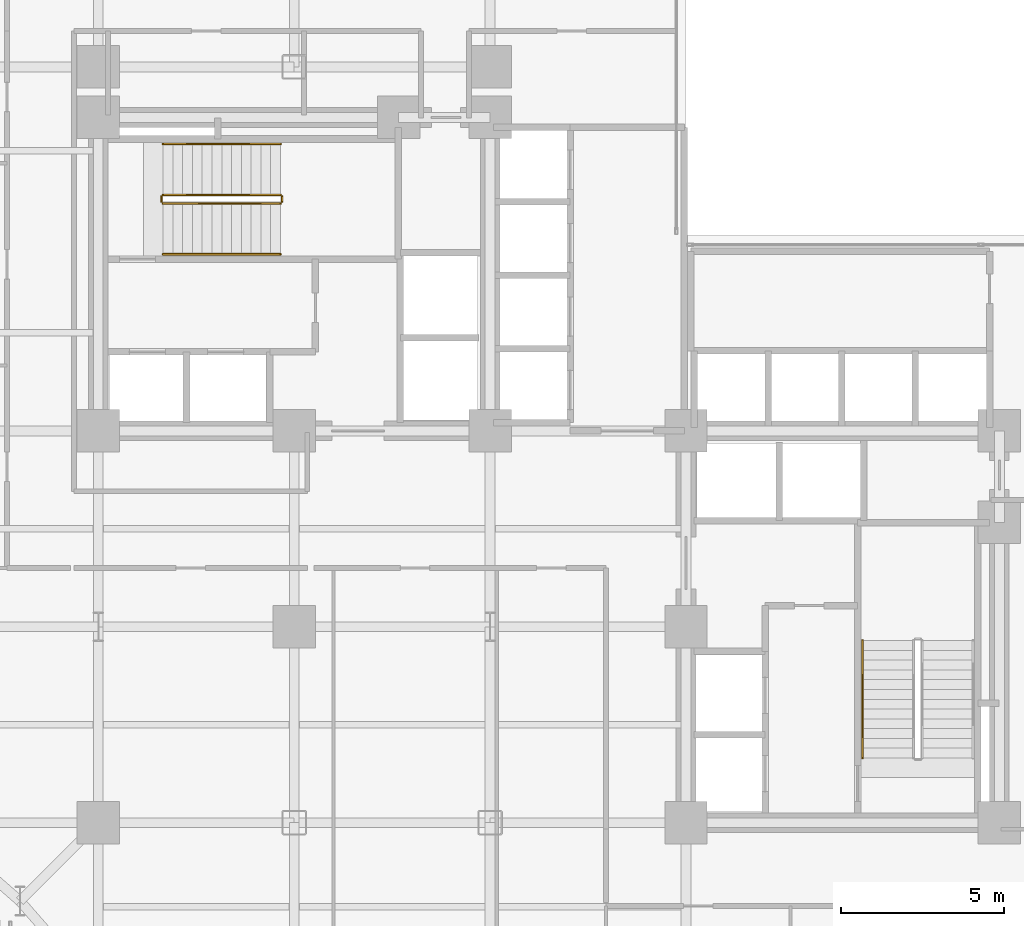
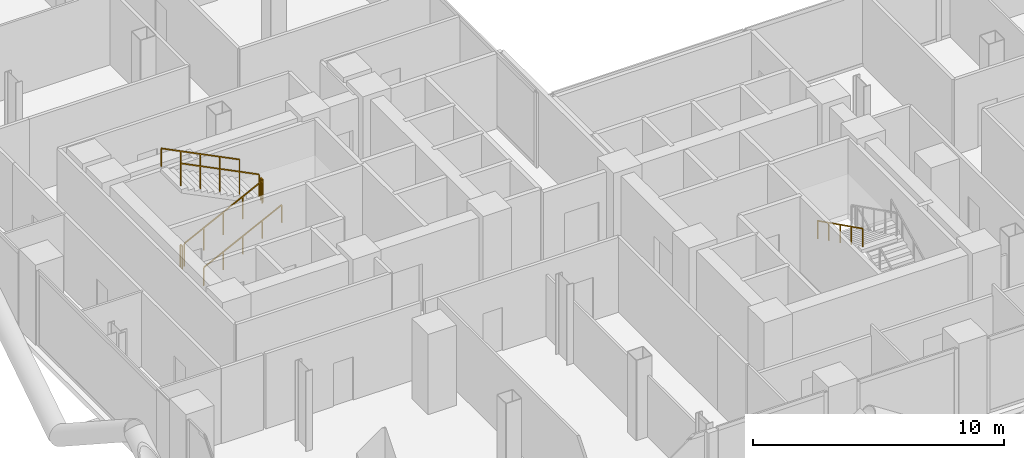
# One storey, part 25 of 27: 7 railings.
"""IFC4 building model written with IfcOpenShell, lengths in metres."""

from ifc_helpers import new_model, si_unit, direction, frame, origin, origin_2d, place, context, subcontext, project, spatial, rectangle, extrude, material, type_object, element, save


model = new_model("IFC4")

# Units and contexts
model_context = context("Model", 3, precision=1e-05, world=origin(), true_north=direction((0.0, 1.0)))
body_context = subcontext(model_context, "Body", "Model", "MODEL_VIEW")
ifc_project = project(units=[si_unit("LENGTHUNIT", "METRE"), si_unit("AREAUNIT", "SQUARE_METRE"), si_unit("VOLUMEUNIT", "CUBIC_METRE"), si_unit("PLANEANGLEUNIT", "RADIAN"), si_unit("MASSUNIT", "GRAM", prefix="KILO"), si_unit("THERMODYNAMICTEMPERATUREUNIT", "KELVIN"), si_unit("POWERUNIT", "WATT")], contexts=[model_context])

# Site, building, storey
site_placement = place(None, origin())
site = spatial("IfcSite", under=ifc_project, at=site_placement, CompositionType="ELEMENT")
building_placement = place(site_placement, origin())
building = spatial("IfcBuilding", under=site, at=building_placement, Name="Svarakhadi Broadcast Tower", CompositionType="ELEMENT")
storey_placement = place(building_placement, frame((0.0, 0.0, 40.199951171875)))
storey = spatial("IfcBuildingStorey", under=building, at=storey_placement, Name="L08", CompositionType="ELEMENT", Elevation=40.199951171875)

# Railings
ifc_material = material(Name="Anodised Bronze Aluminium AA 6063-T6", Category="aluminium")
railing_type_1 = type_object("IfcRailingType", Name="Guard_Stair_GR01", PredefinedType="GUARDRAIL", material=ifc_material)
railing_1_placement = place(storey_placement, frame((7.97998046875, 24.969970703125, 0.150146484375)))
element("IfcRailing", 1, at=railing_1_placement, inside=storey, type_object=railing_type_1, Name="L08 ST-01 stair guard 1", PredefinedType="GUARDRAIL", context=body_context, shape_type="SweptSolid", body=[
    extrude(rectangle(XDim=0.048095703125, YDim=0.048095703125, at=origin_2d()), frame((0.0, 0.0, 1.09619140625), z_axis=(0.894451452574, 0.0, 0.447165069061), x_axis=(0.0, 1.0, 0.0)), (0.0, 0.0, 1.0), 4.02490234375),
    extrude(rectangle(XDim=0.0419921875, YDim=0.0419921875, at=origin_2d()), origin(), (0.0, 0.0, 1.0), 1.072021484375),
    extrude(rectangle(XDim=0.0419921875, YDim=0.0419921875, at=origin_2d()), frame((0.89990234375, 0.0, 0.449951171875)), (0.0, 0.0, 1.0), 1.072021484375),
    extrude(rectangle(XDim=0.0419921875, YDim=0.0419921875, at=origin_2d()), frame((1.800048828125, 0.0, 0.89990234375)), (0.0, 0.0, 1.0), 1.072021484375),
    extrude(rectangle(XDim=0.0419921875, YDim=0.0419921875, at=origin_2d()), frame((2.7001953125, 0.0, 1.349853515625)), (0.0, 0.0, 1.0), 1.072021484375),
    extrude(rectangle(XDim=0.0419921875, YDim=0.0419921875, at=origin_2d()), frame((3.60009765625, 0.0, 1.7998046875)), (0.0, 0.0, 1.0), 1.072021484375),
])
railing_2_placement = place(storey_placement, frame((11.6298828125, 25.02001953125, 1.949951171875)))
element("IfcRailing", 2, at=railing_2_placement, inside=storey, type_object=railing_type_1, Name="L08 ST-01 stair guard 2", PredefinedType="GUARDRAIL", context=body_context, shape_type="SweptSolid", body=[
    extrude(rectangle(XDim=0.048095703125, YDim=0.048095703125, at=origin_2d()), frame((0.0, 0.0, 1.09619140625), z_axis=(0.0, 1.0, 0.0), x_axis=(-1.0, 0.0, 0.0)), (0.0, 0.0, 1.0), 0.159912109375),
    extrude(rectangle(XDim=0.0419921875, YDim=0.0419921875, at=origin_2d()), origin(), (0.0, 0.0, 1.0), 1.072021484375),
    extrude(rectangle(XDim=0.0419921875, YDim=0.0419921875, at=origin_2d()), frame((0.0, 0.159912109375, 0.0)), (0.0, 0.0, 1.0), 1.072021484375),
])
railing_3_placement = place(storey_placement, frame((11.580078125, 25.22998046875, 2.10009765625)))
element("IfcRailing", 3, at=railing_3_placement, inside=storey, type_object=railing_type_1, Name="L08 ST-01 stair guard 3", PredefinedType="GUARDRAIL", context=body_context, shape_type="SweptSolid", body=[
    extrude(rectangle(XDim=0.048095703125, YDim=0.048095703125, at=origin_2d()), frame((0.0, 0.0, 1.09619140625), z_axis=(-0.894427191, 0.0, 0.4472135955), x_axis=(0.0, -1.0, 0.0)), (0.0, 0.0, 1.0), 4.025146484375),
    extrude(rectangle(XDim=0.0419921875, YDim=0.0419921875, at=origin_2d()), origin(), (0.0, 0.0, 1.0), 1.072021484375),
    extrude(rectangle(XDim=0.0419921875, YDim=0.0419921875, at=origin_2d()), frame((-0.89990234375, 0.0, 0.449951171875)), (0.0, 0.0, 1.0), 1.072021484375),
    extrude(rectangle(XDim=0.0419921875, YDim=0.0419921875, at=origin_2d()), frame((-1.800048828125, 0.0, 0.89990234375)), (0.0, 0.0, 1.0), 1.072021484375),
    extrude(rectangle(XDim=0.0419921875, YDim=0.0419921875, at=origin_2d()), frame((-2.7001953125, 0.0, 1.35009765625)), (0.0, 0.0, 1.0), 1.072021484375),
    extrude(rectangle(XDim=0.0419921875, YDim=0.0419921875, at=origin_2d()), frame((-3.60009765625, 0.0, 1.800048828125)), (0.0, 0.0, 1.0), 1.072021484375),
])
railing_4_placement = place(storey_placement, frame((7.929931640625, 25.02001953125, 0.0)))
element("IfcRailing", 4, at=railing_4_placement, inside=storey, type_object=railing_type_1, Name="L08 ST-01 stair guard 4", PredefinedType="GUARDRAIL", context=body_context, shape_type="SweptSolid", body=[
    extrude(rectangle(XDim=0.048095703125, YDim=0.048095703125, at=origin_2d()), frame((0.0, 0.0, 1.09619140625), z_axis=(0.0, 1.0, 0.0), x_axis=(-1.0, 0.0, 0.0)), (0.0, 0.0, 1.0), 0.159912109375),
    extrude(rectangle(XDim=0.0419921875, YDim=0.0419921875, at=origin_2d()), origin(), (0.0, 0.0, 1.0), 1.072021484375),
    extrude(rectangle(XDim=0.0419921875, YDim=0.0419921875, at=origin_2d()), frame((0.0, 0.159912109375, 0.0)), (0.0, 0.0, 1.0), 1.072021484375),
])
railing_type_2 = type_object("IfcRailingType", Name="Handrail_Stair_HR01", PredefinedType="HANDRAIL", material=ifc_material)
railing_5_placement = place(storey_placement, frame((7.97998046875, 23.409912109375, 0.150146484375)))
element("IfcRailing", 5, at=railing_5_placement, inside=storey, type_object=railing_type_2, Name="L08 ST-01 stair handrail 1", PredefinedType="HANDRAIL", context=body_context, shape_type="SweptSolid", body=[
    extrude(rectangle(XDim=0.048095703125, YDim=0.048095703125, at=origin_2d()), frame((0.0, 0.0, 0.8759765625), z_axis=(0.894451452574, 0.0, 0.447165069061), x_axis=(0.0, 1.0, 0.0)), (0.0, 0.0, 1.0), 4.02490234375),
    extrude(rectangle(XDim=0.0419921875, YDim=0.0419921875, at=origin_2d()), origin(), (0.0, 0.0, 1.0), 0.851806640625),
    extrude(rectangle(XDim=0.0419921875, YDim=0.0419921875, at=origin_2d()), frame((0.89990234375, 0.0, 0.449951171875)), (0.0, 0.0, 1.0), 0.851806640625),
    extrude(rectangle(XDim=0.0419921875, YDim=0.0419921875, at=origin_2d()), frame((1.800048828125, 0.0, 0.89990234375)), (0.0, 0.0, 1.0), 0.851806640625),
    extrude(rectangle(XDim=0.0419921875, YDim=0.0419921875, at=origin_2d()), frame((2.7001953125, 0.0, 1.349853515625)), (0.0, 0.0, 1.0), 0.851806640625),
    extrude(rectangle(XDim=0.0419921875, YDim=0.0419921875, at=origin_2d()), frame((3.60009765625, 0.0, 1.7998046875)), (0.0, 0.0, 1.0), 0.851806640625),
])
railing_6_placement = place(storey_placement, frame((11.580078125, 26.7900390625, 2.10009765625)))
element("IfcRailing", 6, at=railing_6_placement, inside=storey, type_object=railing_type_2, Name="L08 ST-01 stair handrail 2", PredefinedType="HANDRAIL", context=body_context, shape_type="SweptSolid", body=[
    extrude(rectangle(XDim=0.048095703125, YDim=0.048095703125, at=origin_2d()), frame((0.0, 0.0, 0.8759765625), z_axis=(-0.894427191, 0.0, 0.4472135955), x_axis=(0.0, -1.0, 0.0)), (0.0, 0.0, 1.0), 4.025146484375),
    extrude(rectangle(XDim=0.0419921875, YDim=0.0419921875, at=origin_2d()), origin(), (0.0, 0.0, 1.0), 0.851806640625),
    extrude(rectangle(XDim=0.0419921875, YDim=0.0419921875, at=origin_2d()), frame((-0.89990234375, 0.0, 0.449951171875)), (0.0, 0.0, 1.0), 0.851806640625),
    extrude(rectangle(XDim=0.0419921875, YDim=0.0419921875, at=origin_2d()), frame((-1.800048828125, 0.0, 0.89990234375)), (0.0, 0.0, 1.0), 0.851806640625),
    extrude(rectangle(XDim=0.0419921875, YDim=0.0419921875, at=origin_2d()), frame((-2.7001953125, 0.0, 1.35009765625)), (0.0, 0.0, 1.0), 0.851806640625),
    extrude(rectangle(XDim=0.0419921875, YDim=0.0419921875, at=origin_2d()), frame((-3.60009765625, 0.0, 1.800048828125)), (0.0, 0.0, 1.0), 0.851806640625),
])
railing_7_placement = place(storey_placement, frame((29.409912109375, 11.580078125, 2.10009765625)))
element("IfcRailing", 7, at=railing_7_placement, inside=storey, type_object=railing_type_2, Name="L08 ST-02 stair handrail 2", PredefinedType="HANDRAIL", context=body_context, shape_type="SweptSolid", body=[
    extrude(rectangle(XDim=0.048095703125, YDim=0.048095703125, at=origin_2d()), frame((0.0, 0.0, 0.8759765625), z_axis=(0.0, -0.894427191, 0.4472135955), x_axis=(1.0, 0.0, 0.0)), (0.0, 0.0, 1.0), 4.025146484375),
    extrude(rectangle(XDim=0.0419921875, YDim=0.0419921875, at=origin_2d()), origin(), (0.0, 0.0, 1.0), 0.851806640625),
    extrude(rectangle(XDim=0.0419921875, YDim=0.0419921875, at=origin_2d()), frame((0.0, -0.89990234375, 0.449951171875)), (0.0, 0.0, 1.0), 0.851806640625),
    extrude(rectangle(XDim=0.0419921875, YDim=0.0419921875, at=origin_2d()), frame((0.0, -1.800048828125, 0.89990234375)), (0.0, 0.0, 1.0), 0.851806640625),
    extrude(rectangle(XDim=0.0419921875, YDim=0.0419921875, at=origin_2d()), frame((0.0, -2.7001953125, 1.35009765625)), (0.0, 0.0, 1.0), 0.851806640625),
    extrude(rectangle(XDim=0.0419921875, YDim=0.0419921875, at=origin_2d()), frame((0.0, -3.60009765625, 1.800048828125)), (0.0, 0.0, 1.0), 0.851806640625),
])

save(model, "model.ifc")
